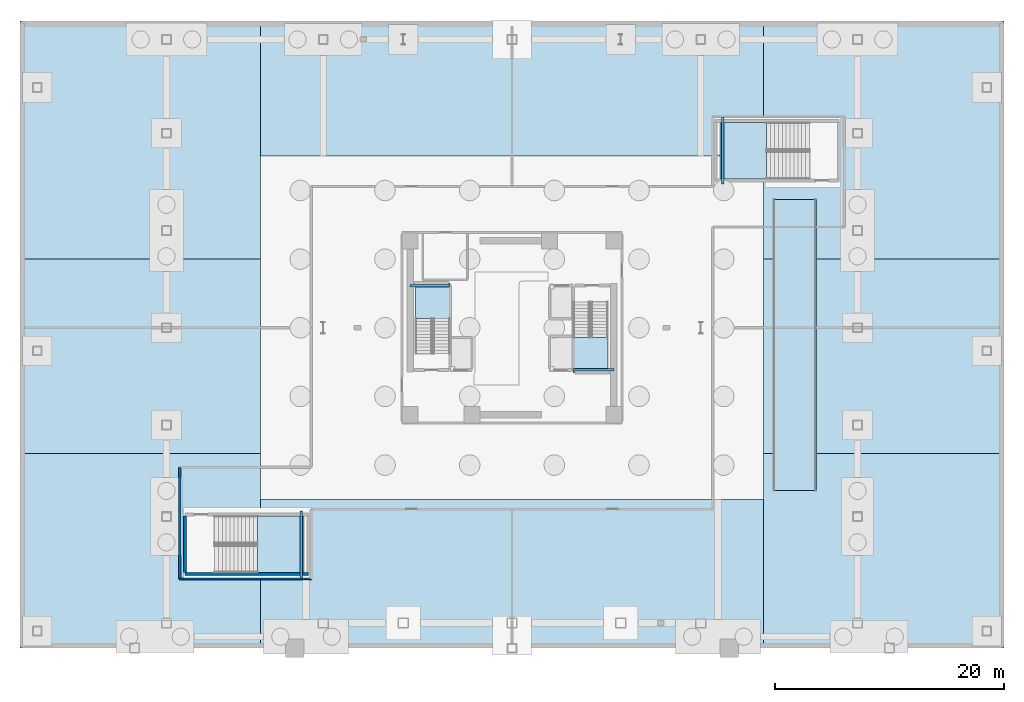
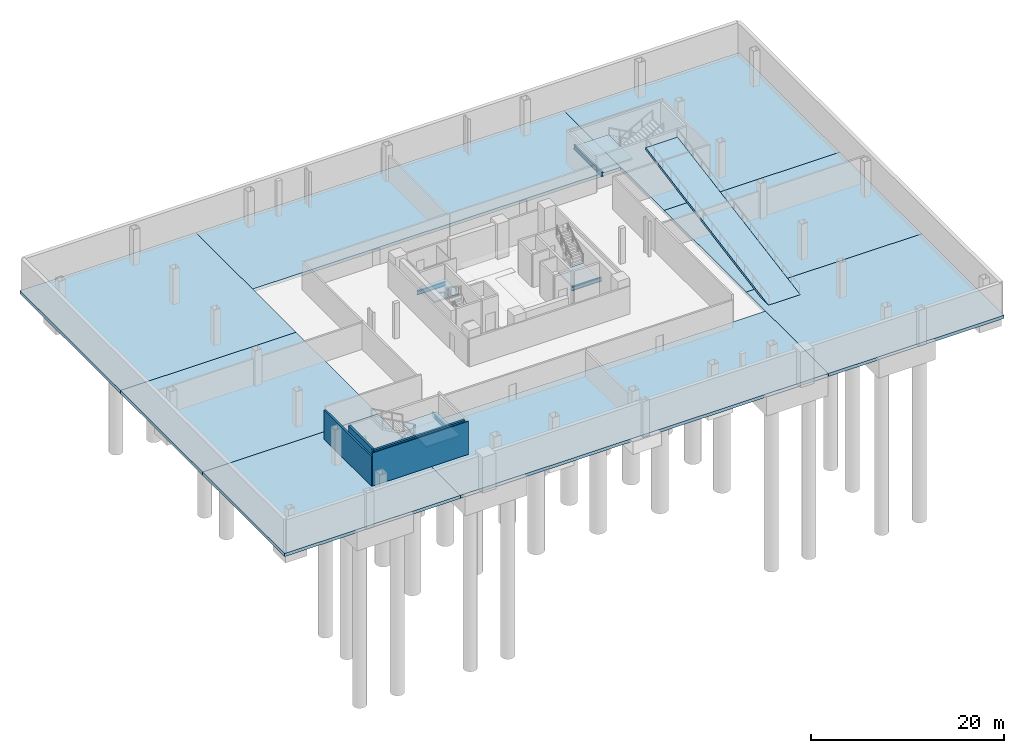
# One storey, part 5 of 15: 13 slabs, 4 beams, 4 walls, 4 elements without a shape of their own.
"""IFC4 building model written with IfcOpenShell, lengths in metres."""

from ifc_helpers import new_model, si_unit, direction, frame, frame_2d, origin, origin_2d, place, context, subcontext, project, spatial, polyline, rectangle, i_section, outline, extrude, material, layer, layer_set, material_profile, profile_set, type_object, element, aggregate, save


model = new_model("IFC4")

# Units and contexts
model_context = context("Model", 3, precision=1e-05, world=origin(), true_north=direction((0.0, 1.0)))
body_context = subcontext(model_context, "Body", "Model", "MODEL_VIEW")
ifc_project = project(units=[si_unit("LENGTHUNIT", "METRE"), si_unit("AREAUNIT", "SQUARE_METRE"), si_unit("VOLUMEUNIT", "CUBIC_METRE"), si_unit("PLANEANGLEUNIT", "RADIAN"), si_unit("MASSUNIT", "GRAM", prefix="KILO")], contexts=[model_context])

# Site, building, storey
site_placement = place(None, origin())
site = spatial("IfcSite", under=ifc_project, at=site_placement, CompositionType="ELEMENT")
building_placement = place(site_placement, origin())
building = spatial("IfcBuilding", under=site, at=building_placement, Name="Tharavind Bronze Gate", CompositionType="ELEMENT")
storey_placement = place(building_placement, frame((0.0, 0.0, -9.0)))
storey = spatial("IfcBuildingStorey", under=building, at=storey_placement, Name="B02", CompositionType="ELEMENT", Elevation=-9.0)

# Beams
ifc_material_1 = material(Name="Steel S355", Category="steel")
ifc_material_profile = material_profile(ifc_material_1, i_section(OverallWidth=0.199951171875, OverallDepth=0.5, WebThickness=0.01025390625, FlangeThickness=0.01611328125, at=origin_2d()), Name="IPE500")
ifc_profile_set = profile_set([ifc_material_profile], Name="Steel S355")
beam_type = type_object("IfcBeamType", Name="PRIMARY GIRDER IPE500", PredefinedType="USERDEFINED", material=ifc_profile_set)
beam_1_placement = place(storey_placement, frame((-8.89990234375, 3.679931640625, 1.800048828125), z_axis=(1.0, 0.0, 0.0), x_axis=(0.0, 1.0, 0.0)))
element("IfcBeam", 1, at=beam_1_placement, inside=storey, type_object=beam_type, Name="B02 primary girder ipe500 BM-LD-ST1-B02-1", ObjectType="GIRDER", PredefinedType="USERDEFINED", context=body_context, shape_type="SweptSolid", body=[
    extrude(i_section(OverallWidth=0.199951171875, OverallDepth=0.5, WebThickness=0.01025390625, FlangeThickness=0.01611328125, at=origin_2d()), origin(), (0.0, 0.0, 1.0), 3.5),
])
beam_2_placement = place(storey_placement, frame((5.35009765625, -3.679931640625, 1.800048828125), z_axis=(1.0, 0.0, 0.0), x_axis=(0.0, 1.0, 0.0)))
element("IfcBeam", 2, at=beam_2_placement, inside=storey, type_object=beam_type, Name="B02 primary girder ipe500 BM-LD-ST2-B02-1", ObjectType="GIRDER", PredefinedType="USERDEFINED", context=body_context, shape_type="SweptSolid", body=[
    extrude(i_section(OverallWidth=0.199951171875, OverallDepth=0.5, WebThickness=0.01025390625, FlangeThickness=0.01611328125, at=origin_2d()), origin(), (0.0, 0.0, 1.0), 3.5498046875),
])
beam_3_placement = place(storey_placement, frame((-18.419921875, -21.85009765625, 1.800048828125), z_axis=(0.0, 1.0, 0.0), x_axis=(-1.0, 0.0, 0.0)))
element("IfcBeam", 3, at=beam_3_placement, inside=storey, type_object=beam_type, Name="B02 primary girder ipe500 BM-LD-ST3-B02-1", ObjectType="GIRDER", PredefinedType="USERDEFINED", context=body_context, shape_type="SweptSolid", body=[
    extrude(i_section(OverallWidth=0.199951171875, OverallDepth=0.5, WebThickness=0.01025390625, FlangeThickness=0.01611328125, at=origin_2d()), origin(), (0.0, 0.0, 1.0), 5.85009765625),
])
beam_4_placement = place(storey_placement, frame((18.419921875, 12.550048828125, 1.800048828125), z_axis=(0.0, 1.0, 0.0), x_axis=(-1.0, 0.0, 0.0)))
element("IfcBeam", 4, at=beam_4_placement, inside=storey, type_object=beam_type, Name="B02 primary girder ipe500 BM-LD-ST4-B02-1", ObjectType="GIRDER", PredefinedType="USERDEFINED", context=body_context, shape_type="SweptSolid", body=[
    extrude(i_section(OverallWidth=0.199951171875, OverallDepth=0.5, WebThickness=0.01025390625, FlangeThickness=0.01611328125, at=origin_2d()), origin(), (0.0, 0.0, 1.0), 5.849853515625),
])

# Slabs
ifc_material_2 = material(Name="Concrete C50/60", Category="concrete")
ifc_layer_1 = layer(ifc_material_2, 0.39990234375)
ifc_layer_set_1 = layer_set([ifc_layer_1], Name="Concrete C50/60")
slab_type_1 = type_object("IfcSlabType", Name="BASE RAFT SLAB 400", PredefinedType="BASESLAB", material=ifc_layer_set_1)
slab_1_placement = place(storey_placement, frame((0.0, 0.0, -0.39990234375)))
element("IfcSlab", 5, at=slab_1_placement, inside=storey, type_object=slab_type_1, Name="B02 basement base slab BS-W1", PredefinedType="BASESLAB", context=body_context, shape_type="SweptSolid", body=[
    extrude(outline(polyline([(-43.0, -28.0), (-22.0, -28.0), (-22.0, -11.0), (-43.0, -11.0), (-43.0, -28.0)])), origin(), (0.0, 0.0, 1.0), 0.39990234375),
])
slab_2_placement = place(storey_placement, frame((0.0, 0.0, -0.39990234375)))
element("IfcSlab", 6, at=slab_2_placement, inside=storey, type_object=slab_type_1, Name="B02 basement base slab BS-W2", PredefinedType="BASESLAB", context=body_context, shape_type="SweptSolid", body=[
    extrude(outline(polyline([(-43.0, -11.0), (-22.0, -11.0), (-22.0, 6.0), (-43.0, 6.0), (-43.0, -11.0)])), origin(), (0.0, 0.0, 1.0), 0.39990234375),
])
slab_3_placement = place(storey_placement, frame((0.0, 0.0, -0.39990234375)))
element("IfcSlab", 7, at=slab_3_placement, inside=storey, type_object=slab_type_1, Name="B02 basement base slab BS-W3", PredefinedType="BASESLAB", context=body_context, shape_type="SweptSolid", body=[
    extrude(outline(polyline([(-43.0, 6.0), (-22.0, 6.0), (-22.0, 26.800048828125), (-43.0, 26.800048828125), (-43.0, 6.0)])), origin(), (0.0, 0.0, 1.0), 0.39990234375),
])
slab_4_placement = place(storey_placement, frame((0.0, 0.0, -0.39990234375)))
element("IfcSlab", 8, at=slab_4_placement, inside=storey, type_object=slab_type_1, Name="B02 basement base slab BS-E1", PredefinedType="BASESLAB", context=body_context, shape_type="SweptSolid", body=[
    extrude(outline(polyline([(22.0, -28.0), (43.0, -28.0), (43.0, -11.0), (22.0, -11.0), (22.0, -28.0)])), origin(), (0.0, 0.0, 1.0), 0.39990234375),
])
slab_5_placement = place(storey_placement, frame((0.0, 0.0, -0.39990234375)))
element("IfcSlab", 9, at=slab_5_placement, inside=storey, type_object=slab_type_1, Name="B02 basement base slab BS-E2", PredefinedType="BASESLAB", context=body_context, shape_type="SweptSolid", body=[
    extrude(outline(polyline([(22.0, -11.0), (43.0, -11.0), (43.0, 6.0), (22.0, 6.0), (22.0, -11.0)])), origin(), (0.0, 0.0, 1.0), 0.39990234375),
])
slab_6_placement = place(storey_placement, frame((0.0, 0.0, -0.39990234375)))
element("IfcSlab", 10, at=slab_6_placement, inside=storey, type_object=slab_type_1, Name="B02 basement base slab BS-E3", PredefinedType="BASESLAB", context=body_context, shape_type="SweptSolid", body=[
    extrude(outline(polyline([(22.0, 6.0), (43.0, 6.0), (43.0, 26.800048828125), (22.0, 26.800048828125), (22.0, 6.0)])), origin(), (0.0, 0.0, 1.0), 0.39990234375),
])
slab_7_placement = place(storey_placement, frame((0.0, 0.0, -0.39990234375)))
element("IfcSlab", 11, at=slab_7_placement, inside=storey, type_object=slab_type_1, Name="B02 basement base slab BS-S1", PredefinedType="BASESLAB", context=body_context, shape_type="SweptSolid", body=[
    extrude(outline(polyline([(-22.0, -28.0), (22.0, -28.0), (22.0, -15.0), (-22.0, -15.0), (-22.0, -28.0)])), origin(), (0.0, 0.0, 1.0), 0.39990234375),
])
slab_8_placement = place(storey_placement, frame((0.0, 0.0, -0.39990234375)))
element("IfcSlab", 12, at=slab_8_placement, inside=storey, type_object=slab_type_1, Name="B02 basement base slab BS-N1", PredefinedType="BASESLAB", context=body_context, shape_type="SweptSolid", body=[
    extrude(outline(polyline([(-22.0, 15.0), (22.0, 15.0), (22.0, 26.800048828125), (-22.0, 26.800048828125), (-22.0, 15.0)])), origin(), (0.0, 0.0, 1.0), 0.39990234375),
])

# Stair, slab
ifc_material_3 = material(Name="Concrete C40/50", Category="concrete")
stair_type_1 = type_object("IfcStairType", Name="CORE HALF TURN STAIR 1450", PredefinedType="HALF_TURN_STAIR", material=ifc_material_3)
stair_1_placement = place(storey_placement, origin())
stair_1 = element("IfcStair", 13, at=stair_1_placement, inside=storey, type_object=stair_type_1, Name="B02 Protected Exit Stair ST1", PredefinedType="HALF_TURN_STAIR")
ifc_layer_2 = layer(ifc_material_3, 0.199951171875)
ifc_layer_set_2 = layer_set([ifc_layer_2], Name="Concrete C40/50")
slab_type_2 = type_object("IfcSlabType", Name="STAIR LANDING SLAB 200", PredefinedType="LANDING", material=ifc_layer_set_2)
slab_9_placement = place(storey_placement, frame((0.0, 0.0, 2.050048828125)))
slab_9 = element("IfcSlab", 14, at=slab_9_placement, type_object=slab_type_2, Name="ST1 landing 1", PredefinedType="LANDING", context=body_context, shape_type="SweptSolid", body=[
    extrude(outline(polyline([(-5.39990234375, 0.830078125), (-5.39990234375, 3.89990234375), (-8.449951171875, 3.89990234375), (-8.449951171875, 0.830078125), (-5.39990234375, 0.830078125)])), origin(), (0.0, 0.0, 1.0), 0.199951171875),
])
aggregate(stair_1, [slab_9])

stair_2_placement = place(storey_placement, origin())
stair_2 = element("IfcStair", 15, at=stair_2_placement, inside=storey, type_object=stair_type_1, Name="B02 Protected Exit Stair ST2", PredefinedType="HALF_TURN_STAIR")
slab_10_placement = place(storey_placement, frame((0.0, 0.0, 2.050048828125)))
slab_10 = element("IfcSlab", 16, at=slab_10_placement, type_object=slab_type_2, Name="ST2 landing 1", PredefinedType="LANDING", context=body_context, shape_type="SweptSolid", body=[
    extrude(outline(polyline([(5.35009765625, -0.830078125), (5.35009765625, -3.89990234375), (8.39990234375, -3.89990234375), (8.39990234375, -0.830078125), (5.35009765625, -0.830078125)])), origin(), (0.0, 0.0, 1.0), 0.199951171875),
])
aggregate(stair_2, [slab_10])

stair_type_2 = type_object("IfcStairType", Name="PODIUM HALF TURN STAIR 2400", PredefinedType="HALF_TURN_STAIR", material=ifc_material_3)
stair_3_placement = place(storey_placement, origin())
stair_3 = element("IfcStair", 17, at=stair_3_placement, inside=storey, type_object=stair_type_2, Name="B02 Protected Exit Stair ST3", PredefinedType="HALF_TURN_STAIR")
slab_11_placement = place(storey_placement, frame((0.0, 0.0, 2.050048828125)))
slab_11 = element("IfcSlab", 18, at=slab_11_placement, type_object=slab_type_2, Name="ST3 landing 1", PredefinedType="LANDING", context=body_context, shape_type="SweptSolid", body=[
    extrude(outline(polyline([(-22.260009765625, -21.39990234375), (-18.199951171875, -21.39990234375), (-18.199951171875, -16.449951171875), (-22.260009765625, -16.449951171875), (-22.260009765625, -21.39990234375)])), origin(), (0.0, 0.0, 1.0), 0.199951171875),
])
aggregate(stair_3, [slab_11])

stair_4_placement = place(storey_placement, origin())
stair_4 = element("IfcStair", 19, at=stair_4_placement, inside=storey, type_object=stair_type_2, Name="B02 Protected Exit Stair ST4", PredefinedType="HALF_TURN_STAIR")
slab_12_placement = place(storey_placement, frame((0.0, 0.0, 2.050048828125)))
slab_12 = element("IfcSlab", 20, at=slab_12_placement, type_object=slab_type_2, Name="ST4 landing 1", PredefinedType="LANDING", context=body_context, shape_type="SweptSolid", body=[
    extrude(outline(polyline([(22.260009765625, 17.949951171875), (18.199951171875, 17.949951171875), (18.199951171875, 13.0), (22.260009765625, 13.0), (22.260009765625, 17.949951171875)])), origin(), (0.0, 0.0, 1.0), 0.199951171875),
])
aggregate(stair_4, [slab_12])

# Slab
ifc_layer_3 = layer(ifc_material_2, 0.300048828125)
ifc_layer_set_3 = layer_set([ifc_layer_3], Name="Concrete C50/60")
slab_type_3 = type_object("IfcSlabType", Name="STRUCTURAL FLOOR SLAB VEHICLE RAMP 300", PredefinedType="FLOOR", material=ifc_layer_set_3)
slab_13_placement = place(storey_placement, frame((24.7001953125, -14.219970703125, 0.0), z_axis=(0.0, 0.0, 1.0), x_axis=(0.0, 1.0, 0.0)))
element("IfcSlab", 21, at=slab_13_placement, inside=storey, type_object=slab_type_3, Name="Plant equipment vehicle ramp slab R2 B02 to B01", PredefinedType="FLOOR", context=body_context, shape_type="SweptSolid", body=[
    extrude(outline(polyline([(0.0, 0.0), (1.72119140625, 0.0), (25.419921875, 4.1953125), (25.419921875, 4.5), (0.0, 0.0)])), frame((0.0, 1.89990234375, 0.0), z_axis=(0.0, -1.0, 0.0), x_axis=(1.0, 0.0, 0.0)), (0.0, 0.0, 1.0), 3.800048828125),
])

# Walls
ifc_material_4 = material(Name="Aerated Concrete Block", Category="concrete")
ifc_layer_4 = layer(ifc_material_4, 0.199951171875)
ifc_layer_set_4 = layer_set([ifc_layer_4], Name="Aerated Concrete Block")
wall_type_1 = type_object("IfcWallType", Name="FIRE RATED PARTITION 200", PredefinedType="PARTITIONING", material=ifc_layer_set_4)
wall_1_placement = place(storey_placement, frame((-29.050048828125, -12.20068359375, 0.0), z_axis=(0.0, 0.0, 1.0), x_axis=(0.0, -1.0, 0.0)))
element("IfcWall", 22, at=wall_1_placement, inside=storey, type_object=wall_type_1, Name="B02 Domestic & Fire Water Tank Hall partition", PredefinedType="PARTITIONING", context=body_context, shape_type="SweptSolid", body=[
    extrude(rectangle(XDim=9.748779296875, YDim=0.199951171875, at=frame_2d((4.87451171875, 0.0))), origin(), (0.0, 0.0, 1.0), 3.719970703125),
])
ifc_material_5 = material(Name="Metal Stud Gypsum Partition", Category="gypsum")
ifc_layer_5 = layer(ifc_material_5, 0.1201171875)
ifc_layer_set_5 = layer_set([ifc_layer_5], Name="Metal Stud Gypsum Partition")
wall_type_2 = type_object("IfcWallType", Name="INTERIOR PARTITION WALL 120", PredefinedType="PARTITIONING", material=ifc_layer_set_5)
wall_2_placement = place(storey_placement, frame((-29.04931640625, -21.949951171875, 0.0), z_axis=(0.0, 0.0, 1.0), x_axis=(1.0, 0.0, 0.0)))
element("IfcWall", 23, at=wall_2_placement, inside=storey, type_object=wall_type_2, Name="B02 Domestic & Fire Water Tank Hall partition", PredefinedType="PARTITIONING", context=body_context, shape_type="SweptSolid", body=[
    extrude(rectangle(XDim=11.498779296875, YDim=0.1201171875, at=frame_2d((5.74951171875, 0.0))), origin(), (0.0, 0.0, 1.0), 4.175048828125),
])
ifc_layer_6 = layer(ifc_material_2, 0.25)
ifc_layer_set_6 = layer_set([ifc_layer_6], Name="Concrete C50/60")
wall_type_3 = type_object("IfcWallType", Name="RC CORE SHEAR WALL 250", PredefinedType="SHEAR", material=ifc_layer_set_6)
wall_3_placement = place(storey_placement, frame((-28.580078125, -21.530029296875, 0.0), z_axis=(0.0, 0.0, 1.0), x_axis=(1.0, 0.0, 0.0)))
element("IfcWall", 24, at=wall_3_placement, inside=storey, type_object=wall_type_3, Name="B02 ST3 south wall", PredefinedType="SHEAR", context=body_context, shape_type="SweptSolid", body=[
    extrude(rectangle(XDim=10.780029296875, YDim=0.25, at=frame_2d((5.39013671875, 0.0))), origin(), (0.0, 0.0, 1.0), 4.175048828125),
])
wall_4_placement = place(storey_placement, frame((-28.580078125, -21.3798828125, 0.0), z_axis=(0.0, 0.0, 1.0), x_axis=(0.0, 1.0, 0.0)))
element("IfcWall", 25, at=wall_4_placement, inside=storey, type_object=wall_type_3, Name="B02 ST3 west wall", PredefinedType="SHEAR", context=body_context, shape_type="SweptSolid", body=[
    extrude(rectangle(XDim=4.909912109375, YDim=0.25, at=frame_2d((2.455078125, 0.0))), origin(), (0.0, 0.0, 1.0), 4.175048828125),
])

save(model, "model.ifc")
